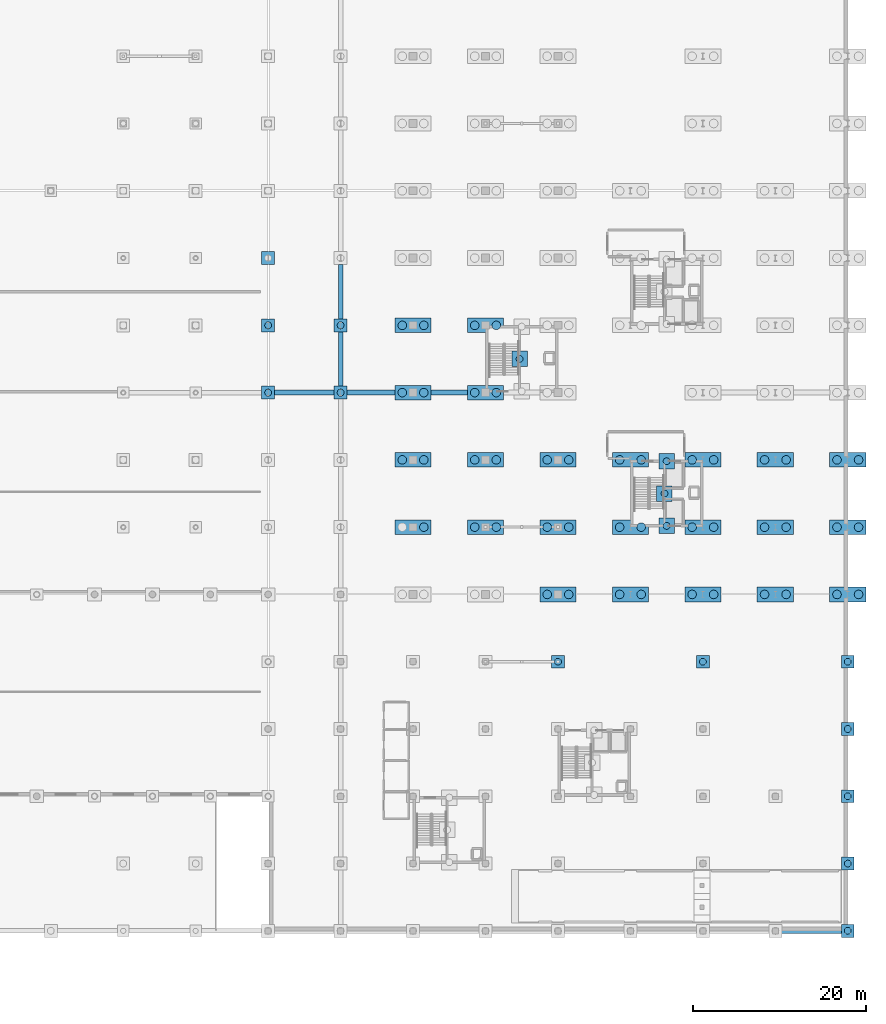
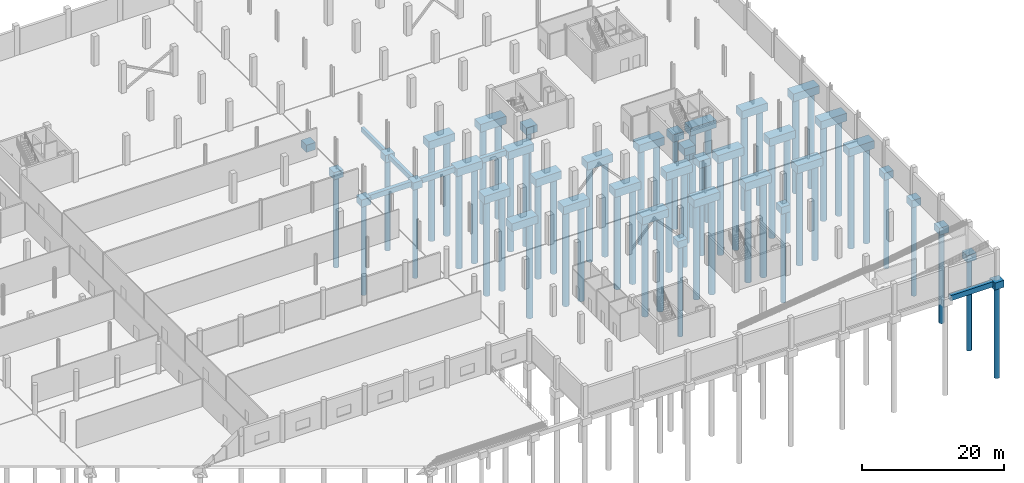
# One storey, part 7 of 48: 60 piles, 45 footings.
"""IFC4 building model written with IfcOpenShell, lengths in metres."""

from ifc_helpers import new_model, si_unit, direction, frame, origin, origin_2d, place, context, subcontext, project, spatial, polyline, rectangle, circle, outline, extrude, material, material_profile, profile_set, type_object, element, save


model = new_model("IFC4")

# Units and contexts
model_context = context("Model", 3, precision=1e-05, world=origin(), true_north=direction((0.0, 1.0)))
body_context = subcontext(model_context, "Body", "Model", "MODEL_VIEW")
ifc_project = project(units=[si_unit("LENGTHUNIT", "METRE"), si_unit("AREAUNIT", "SQUARE_METRE"), si_unit("VOLUMEUNIT", "CUBIC_METRE"), si_unit("PLANEANGLEUNIT", "RADIAN"), si_unit("MASSUNIT", "GRAM", prefix="KILO")], contexts=[model_context])

# Site, building, storey
site_placement = place(None, origin())
site = spatial("IfcSite", under=ifc_project, at=site_placement, CompositionType="ELEMENT")
building_placement = place(site_placement, origin())
building = spatial("IfcBuilding", under=site, at=building_placement, Name="Nabrawat Pavilion Hospital", CompositionType="ELEMENT")
storey_placement = place(building_placement, frame((0.0, 0.0, -5.10009765625)))
storey = spatial("IfcBuildingStorey", under=building, at=storey_placement, Name="B1", CompositionType="ELEMENT", Elevation=-5.10009765625)

# Piles
ifc_material = material(Name="Concrete C35/45", Category="concrete")
ifc_material_profile_1 = material_profile(ifc_material, circle(Radius=0.5, at=origin_2d()), Name="DIA 1000")
ifc_profile_set_1 = profile_set([ifc_material_profile_1], Name="Concrete C35/45")
pile_type_1 = type_object("IfcPileType", Name="Bored Concrete Pile D1000", PredefinedType="BORED", material=ifc_profile_set_1)
for number, where, z_axis, x_axis, name in (
    (1, (144.050048828125, 46.800048828125, -1.469970703125), (0.0, 0.0, -1.0), (1.0, 0.0, 0.0), "Bored Pile P-1000 0206"),
    (2, (141.550048828125, 54.60009765625, -1.469970703125), (0.0, 0.0, -1.0), (1.0, 0.0, 0.0), "Bored Pile P-1000 0207"),
    (3, (144.050048828125, 54.60009765625, -1.469970703125), (0.0, 0.0, -1.0), (1.0, 0.0, 0.0), "Bored Pile P-1000 0208"),
    (4, (141.550048828125, 62.39990234375, -1.469970703125), (0.0, 0.0, -1.0), (1.0, 0.0, 0.0), "Bored Pile P-1000 0209"),
    (5, (144.050048828125, 62.39990234375, -1.469970703125), (0.0, 0.0, -1.0), (1.0, 0.0, 0.0), "Bored Pile P-1000 0210"),
    (6, (141.550048828125, 70.199951171875, -1.469970703125), (0.0, 0.0, -1.0), (1.0, 0.0, 0.0), "Bored Pile P-1000 0211"),
    (7, (144.050048828125, 70.199951171875, -1.469970703125), (0.0, 0.0, -1.0), (1.0, 0.0, 0.0), "Bored Pile P-1000 0212"),
    (8, (149.949951171875, 46.800048828125, -1.469970703125), (0.0, 0.0, -1.0), (1.0, 0.0, 0.0), "Bored Pile P-1000 0233"),
    (9, (152.449951171875, 46.800048828125, -1.469970703125), (0.0, 0.0, -1.0), (1.0, 0.0, 0.0), "Bored Pile P-1000 0234"),
    (10, (149.949951171875, 54.60009765625, -1.469970703125), (0.0, 0.0, -1.0), (1.0, 0.0, 0.0), "Bored Pile P-1000 0235"),
    (11, (152.449951171875, 54.60009765625, -1.469970703125), (0.0, 0.0, -1.0), (1.0, 0.0, 0.0), "Bored Pile P-1000 0236"),
    (12, (149.949951171875, 62.39990234375, -1.469970703125), (0.0, 0.0, -1.0), (1.0, 0.0, 0.0), "Bored Pile P-1000 0237"),
    (13, (152.449951171875, 62.39990234375, -1.469970703125), (0.0, 0.0, -1.0), (1.0, 0.0, 0.0), "Bored Pile P-1000 0238"),
    (14, (149.949951171875, 70.199951171875, -1.469970703125), (0.0, 0.0, -1.0), (1.0, 0.0, 0.0), "Bored Pile P-1000 0239"),
    (15, (152.449951171875, 70.199951171875, -1.469970703125), (0.0, 0.0, -1.0), (1.0, 0.0, 0.0), "Bored Pile P-1000 0240"),
    (16, (158.35009765625, 39.0, -1.469970703125), (0.0, 0.0, -1.0), (1.0, 0.0, 0.0), "Bored Pile P-1000 0259"),
    (17, (160.85009765625, 39.0, -1.469970703125), (0.0, 0.0, -1.0), (1.0, 0.0, 0.0), "Bored Pile P-1000 0260"),
    (18, (158.35009765625, 46.800048828125, -1.469970703125), (0.0, 0.0, -1.0), (1.0, 0.0, 0.0), "Bored Pile P-1000 0261"),
    (19, (160.85009765625, 46.800048828125, -1.469970703125), (0.0, 0.0, -1.0), (1.0, 0.0, 0.0), "Bored Pile P-1000 0262"),
    (20, (158.35009765625, 54.60009765625, -1.469970703125), (0.0, 0.0, -1.0), (1.0, 0.0, 0.0), "Bored Pile P-1000 0263"),
    (21, (160.85009765625, 54.60009765625, -1.469970703125), (0.0, 0.0, -1.0), (1.0, 0.0, 0.0), "Bored Pile P-1000 0264"),
    (22, (166.75, 39.0, -1.469970703125), (0.0, 0.0, -1.0), (1.0, 0.0, 0.0), "Bored Pile P-1000 0285"),
    (23, (169.25, 39.0, -1.469970703125), (0.0, 0.0, -1.0), (1.0, 0.0, 0.0), "Bored Pile P-1000 0286"),
    (24, (166.75, 46.800048828125, -1.469970703125), (0.0, 0.0, -1.0), (1.0, 0.0, 0.0), "Bored Pile P-1000 0287"),
    (25, (169.25, 46.800048828125, -1.469970703125), (0.0, 0.0, -1.0), (1.0, 0.0, 0.0), "Bored Pile P-1000 0288"),
    (26, (166.75, 54.60009765625, -1.469970703125), (0.0, 0.0, -1.0), (1.0, 0.0, 0.0), "Bored Pile P-1000 0289"),
    (27, (169.25, 54.60009765625, -1.469970703125), (0.0, 0.0, -1.0), (1.0, 0.0, 0.0), "Bored Pile P-1000 0290"),
    (28, (175.14990234375, 39.0, -1.469970703125), (0.0, 0.0, -1.0), (1.0, 0.0, 0.0), "Bored Pile P-1000 0305"),
    (29, (177.64990234375, 39.0, -1.469970703125), (0.0, 0.0, -1.0), (1.0, 0.0, 0.0), "Bored Pile P-1000 0306"),
    (30, (175.14990234375, 46.800048828125, -1.469970703125), (0.0, 0.0, -1.0), (1.0, 0.0, 0.0), "Bored Pile P-1000 0307"),
    (31, (177.64990234375, 46.800048828125, -1.469970703125), (0.0, 0.0, -1.0), (1.0, 0.0, 0.0), "Bored Pile P-1000 0308"),
    (32, (175.14990234375, 54.60009765625, -1.469970703125), (0.0, 0.0, -1.0), (1.0, 0.0, 0.0), "Bored Pile P-1000 0309"),
    (33, (177.64990234375, 54.60009765625, -1.469970703125), (0.0, 0.0, -1.0), (1.0, 0.0, 0.0), "Bored Pile P-1000 0310"),
    (34, (183.550048828125, 39.0, -1.469970703125), (0.0, 0.0, -1.0), (1.0, 0.0, 0.0), "Bored Pile P-1000 0330"),
    (35, (186.050048828125, 39.0, -1.469970703125), (0.0, 0.0, -1.0), (1.0, 0.0, 0.0), "Bored Pile P-1000 0331"),
    (36, (183.550048828125, 46.800048828125, -1.469970703125), (0.0, 0.0, -1.0), (1.0, 0.0, 0.0), "Bored Pile P-1000 0332"),
    (37, (186.050048828125, 46.800048828125, -1.469970703125), (0.0, 0.0, -1.0), (1.0, 0.0, 0.0), "Bored Pile P-1000 0333"),
    (38, (183.550048828125, 54.60009765625, -1.469970703125), (0.0, 0.0, -1.0), (1.0, 0.0, 0.0), "Bored Pile P-1000 0334"),
    (39, (186.050048828125, 54.60009765625, -1.469970703125), (0.0, 0.0, -1.0), (1.0, 0.0, 0.0), "Bored Pile P-1000 0335"),
    (40, (191.949951171875, 39.0, -1.469970703125), (0.0, 0.0, -1.0), (1.0, 0.0, 0.0), "Bored Pile P-1000 0352"),
    (41, (194.449951171875, 39.0, -1.469970703125), (0.0, 0.0, -1.0), (1.0, 0.0, 0.0), "Bored Pile P-1000 0353"),
    (42, (191.949951171875, 46.800048828125, -1.469970703125), (0.0, 0.0, -1.0), (1.0, 0.0, 0.0), "Bored Pile P-1000 0354"),
    (43, (194.449951171875, 46.800048828125, -1.469970703125), (0.0, 0.0, -1.0), (1.0, 0.0, 0.0), "Bored Pile P-1000 0355"),
    (44, (191.949951171875, 54.60009765625, -1.469970703125), (0.0, 0.0, -1.0), (1.0, 0.0, 0.0), "Bored Pile P-1000 0356"),
    (45, (194.449951171875, 54.60009765625, -1.469970703125), (0.0, 0.0, -1.0), (1.0, 0.0, 0.0), "Bored Pile P-1000 0357"),
):
    element("IfcPile", number, at=place(storey_placement, frame(where, z_axis=z_axis, x_axis=x_axis)), inside=storey, type_object=pile_type_1, Name=name, PredefinedType="BORED", context=body_context, shape_type="SweptSolid", body=[
        extrude(circle(Radius=0.5, at=origin_2d()), origin(), (0.0, 0.0, 1.0), 16.429931640625),
    ])
ifc_material_profile_2 = material_profile(ifc_material, circle(Radius=0.39990234375, at=origin_2d()), Name="DIA 800")
ifc_profile_set_2 = profile_set([ifc_material_profile_2], Name="Concrete C35/45")
pile_type_2 = type_object("IfcPileType", Name="Bored Concrete Pile D800", PredefinedType="BORED", material=ifc_profile_set_2)
for number, where, z_axis, x_axis, name in (
    (46, (126.0, 62.39990234375, -1.369873046875), (0.0, 0.0, -1.0), (1.0, 0.0, 0.0), "Bored Pile P-800 0172"),
    (47, (126.0, 70.199951171875, -1.369873046875), (0.0, 0.0, -1.0), (1.0, 0.0, 0.0), "Bored Pile P-800 0173"),
    (48, (134.39990234375, 62.39990234375, -1.369873046875), (0.0, 0.0, -1.0), (1.0, 0.0, 0.0), "Bored Pile P-800 0189"),
    (49, (134.39990234375, 70.199951171875, -1.369873046875), (0.0, 0.0, -1.0), (1.0, 0.0, 0.0), "Bored Pile P-800 0190"),
):
    element("IfcPile", number, at=place(storey_placement, frame(where, z_axis=z_axis, x_axis=x_axis)), inside=storey, type_object=pile_type_2, Name=name, PredefinedType="BORED", context=body_context, shape_type="SweptSolid", body=[
        extrude(circle(Radius=0.39990234375, at=origin_2d()), origin(), (0.0, 0.0, 1.0), 15.72998046875),
    ])
for number, where, z_axis, x_axis, name in (
    (50, (159.60009765625, 31.199951171875, -1.33984375), (0.0, 0.0, -1.0), (1.0, 0.0, 0.0), "Bored Pile P-800 0258"),
    (51, (176.39990234375, 31.199951171875, -1.33984375), (0.0, 0.0, -1.0), (1.0, 0.0, 0.0), "Bored Pile P-800 0304"),
    (52, (193.199951171875, 0.0, -1.33984375), (0.0, 0.0, -1.0), (1.0, 0.0, 0.0), "Bored Pile P-800 0347"),
    (53, (193.199951171875, 7.800048828125, -1.33984375), (0.0, 0.0, -1.0), (1.0, 0.0, 0.0), "Bored Pile P-800 0348"),
    (54, (193.199951171875, 15.60009765625, -1.33984375), (0.0, 0.0, -1.0), (1.0, 0.0, 0.0), "Bored Pile P-800 0349"),
    (55, (193.199951171875, 23.39990234375, -1.33984375), (0.0, 0.0, -1.0), (1.0, 0.0, 0.0), "Bored Pile P-800 0350"),
    (56, (193.199951171875, 31.199951171875, -1.33984375), (0.0, 0.0, -1.0), (1.0, 0.0, 0.0), "Bored Pile P-800 0351"),
):
    element("IfcPile", number, at=place(storey_placement, frame(where, z_axis=z_axis, x_axis=x_axis)), inside=storey, type_object=pile_type_2, Name=name, PredefinedType="BORED", context=body_context, shape_type="SweptSolid", body=[
        extrude(circle(Radius=0.39990234375, at=origin_2d()), origin(), (0.0, 0.0, 1.0), 15.760009765625),
    ])
for number, where, z_axis, x_axis, name in (
    (57, (172.199951171875, 46.949951171875, -1.369873046875), (0.0, 0.0, -1.0), (1.0, 0.0, 0.0), "Bored Pile P-800 0387"),
    (58, (172.199951171875, 54.449951171875, -1.369873046875), (0.0, 0.0, -1.0), (1.0, 0.0, 0.0), "Bored Pile P-800 0388"),
    (59, (171.949951171875, 50.699951171875, -1.369873046875), (0.0, 0.0, -1.0), (1.0, 0.0, 0.0), "Bored Pile P-800 0389"),
    (60, (155.14990234375, 66.300048828125, -1.369873046875), (0.0, 0.0, -1.0), (1.0, 0.0, 0.0), "Bored Pile P-800 0401"),
):
    element("IfcPile", number, at=place(storey_placement, frame(where, z_axis=z_axis, x_axis=x_axis)), inside=storey, type_object=pile_type_2, Name=name, PredefinedType="BORED", context=body_context, shape_type="SweptSolid", body=[
        extrude(circle(Radius=0.39990234375, at=origin_2d()), origin(), (0.0, 0.0, 1.0), 15.72998046875),
    ])

# Footings
ifc_material_profile_3 = material_profile(ifc_material, rectangle(XDim=0.5, YDim=0.800048828125, at=origin_2d()), Name="RC 500x800")
ifc_profile_set_3 = profile_set([ifc_material_profile_3], Name="Concrete C35/45")
footing_type_1 = type_object("IfcFootingType", Name="Concrete Ground Tie Beam 500x800", PredefinedType="FOOTING_BEAM", material=ifc_profile_set_3)
for number, where, z_axis, x_axis, name in (
    (61, (134.39990234375, 63.1298828125, -0.619873046875), (0.0, 1.0, 0.0), (-1.0, 0.0, 0.0), "B1 Ground Tie Beam Y 067"),
    (62, (134.39990234375, 70.929931640625, -0.619873046875), (0.0, 1.0, 0.0), (-1.0, 0.0, 0.0), "B1 Ground Tie Beam Y 068"),
):
    element("IfcFooting", number, at=place(storey_placement, frame(where, z_axis=z_axis, x_axis=x_axis)), inside=storey, type_object=footing_type_1, Name=name, PredefinedType="FOOTING_BEAM", context=body_context, shape_type="SweptSolid", body=[
        extrude(rectangle(XDim=0.5, YDim=0.800048828125, at=origin_2d()), origin(), (0.0, 0.0, 1.0), 6.340087890625),
    ])
ifc_material_profile_4 = material_profile(ifc_material, rectangle(XDim=0.60009765625, YDim=0.89990234375, at=origin_2d()), Name="RC 600x900")
ifc_profile_set_4 = profile_set([ifc_material_profile_4], Name="Concrete C35/45")
footing_type_2 = type_object("IfcFootingType", Name="Concrete Ground Tie Beam 600x900", PredefinedType="FOOTING_BEAM", material=ifc_profile_set_4)
for number, where, z_axis, x_axis, name in (
    (63, (185.530029296875, 0.0, -0.669921875), (1.0, 0.0, 0.0), (0.0, 1.0, 0.0), "B1 Ground Tie Beam X 023"),
    (64, (126.72998046875, 62.39990234375, -0.669921875), (1.0, 0.0, 0.0), (0.0, 1.0, 0.0), "B1 Ground Tie Beam X 029"),
):
    element("IfcFooting", number, at=place(storey_placement, frame(where, z_axis=z_axis, x_axis=x_axis)), inside=storey, type_object=footing_type_2, Name=name, PredefinedType="FOOTING_BEAM", context=body_context, shape_type="SweptSolid", body=[
        extrude(rectangle(XDim=0.60009765625, YDim=0.89990234375, at=origin_2d()), origin(), (0.0, 0.0, 1.0), 6.93994140625),
    ])
footing_1_placement = place(storey_placement, frame((135.1298828125, 62.39990234375, -0.669921875), z_axis=(1.0, 0.0, 0.0), x_axis=(0.0, 1.0, 0.0)))
element("IfcFooting", 65, at=footing_1_placement, inside=storey, type_object=footing_type_2, Name="B1 Ground Tie Beam X 030", PredefinedType="FOOTING_BEAM", context=body_context, shape_type="SweptSolid", body=[
    extrude(rectangle(XDim=0.60009765625, YDim=0.89990234375, at=origin_2d()), origin(), (0.0, 0.0, 1.0), 5.590087890625),
])
footing_2_placement = place(storey_placement, frame((144.8798828125, 62.39990234375, -0.669921875), z_axis=(1.0, 0.0, 0.0), x_axis=(0.0, 1.0, 0.0)))
element("IfcFooting", 66, at=footing_2_placement, inside=storey, type_object=footing_type_2, Name="B1 Ground Tie Beam X 031", PredefinedType="FOOTING_BEAM", context=body_context, shape_type="SweptSolid", body=[
    extrude(rectangle(XDim=0.60009765625, YDim=0.89990234375, at=origin_2d()), origin(), (0.0, 0.0, 1.0), 4.240234375),
])
footing_type_3 = type_object("IfcFootingType", Name="Reinforced Concrete Pile Cap 1500x1500x1220", PredefinedType="PILE_CAP", material=ifc_material)
footing_3_placement = place(storey_placement, frame((0.0, 0.0, -1.43994140625)))
element("IfcFooting", 67, at=footing_3_placement, inside=storey, type_object=footing_type_3, Name="B1 Combined Pile Cap CAP-236", PredefinedType="PILE_CAP", context=body_context, shape_type="SweptSolid", body=[
    extrude(outline(polyline([(160.35009765625, 30.449951171875), (160.35009765625, 31.949951171875), (158.85009765625, 31.949951171875), (158.85009765625, 30.449951171875), (160.35009765625, 30.449951171875)])), origin(), (0.0, 0.0, 1.0), 1.219970703125),
])
footing_4_placement = place(storey_placement, frame((0.0, 0.0, -1.43994140625)))
element("IfcFooting", 68, at=footing_4_placement, inside=storey, type_object=footing_type_3, Name="B1 Combined Pile Cap CAP-264", PredefinedType="PILE_CAP", context=body_context, shape_type="SweptSolid", body=[
    extrude(outline(polyline([(177.14990234375, 30.449951171875), (177.14990234375, 31.949951171875), (175.64990234375, 31.949951171875), (175.64990234375, 30.449951171875), (177.14990234375, 30.449951171875)])), origin(), (0.0, 0.0, 1.0), 1.219970703125),
])
footing_5_placement = place(storey_placement, frame((0.0, 0.0, -1.43994140625)))
element("IfcFooting", 69, at=footing_5_placement, inside=storey, type_object=footing_type_3, Name="B1 Combined Pile Cap CAP-288", PredefinedType="PILE_CAP", context=body_context, shape_type="SweptSolid", body=[
    extrude(outline(polyline([(193.949951171875, -0.75), (193.949951171875, 0.75), (192.449951171875, 0.75), (192.449951171875, -0.75), (193.949951171875, -0.75)])), origin(), (0.0, 0.0, 1.0), 1.219970703125),
])
footing_6_placement = place(storey_placement, frame((0.0, 0.0, -1.43994140625)))
element("IfcFooting", 70, at=footing_6_placement, inside=storey, type_object=footing_type_3, Name="B1 Combined Pile Cap CAP-289", PredefinedType="PILE_CAP", context=body_context, shape_type="SweptSolid", body=[
    extrude(outline(polyline([(193.949951171875, 7.050048828125), (193.949951171875, 8.550048828125), (192.449951171875, 8.550048828125), (192.449951171875, 7.050048828125), (193.949951171875, 7.050048828125)])), origin(), (0.0, 0.0, 1.0), 1.219970703125),
])
footing_7_placement = place(storey_placement, frame((0.0, 0.0, -1.43994140625)))
element("IfcFooting", 71, at=footing_7_placement, inside=storey, type_object=footing_type_3, Name="B1 Combined Pile Cap CAP-290", PredefinedType="PILE_CAP", context=body_context, shape_type="SweptSolid", body=[
    extrude(outline(polyline([(193.949951171875, 14.85009765625), (193.949951171875, 16.35009765625), (192.449951171875, 16.35009765625), (192.449951171875, 14.85009765625), (193.949951171875, 14.85009765625)])), origin(), (0.0, 0.0, 1.0), 1.219970703125),
])
footing_8_placement = place(storey_placement, frame((0.0, 0.0, -1.43994140625)))
element("IfcFooting", 72, at=footing_8_placement, inside=storey, type_object=footing_type_3, Name="B1 Combined Pile Cap CAP-291", PredefinedType="PILE_CAP", context=body_context, shape_type="SweptSolid", body=[
    extrude(outline(polyline([(193.949951171875, 22.64990234375), (193.949951171875, 24.14990234375), (192.449951171875, 24.14990234375), (192.449951171875, 22.64990234375), (193.949951171875, 22.64990234375)])), origin(), (0.0, 0.0, 1.0), 1.219970703125),
])
footing_9_placement = place(storey_placement, frame((0.0, 0.0, -1.43994140625)))
element("IfcFooting", 73, at=footing_9_placement, inside=storey, type_object=footing_type_3, Name="B1 Combined Pile Cap CAP-292", PredefinedType="PILE_CAP", context=body_context, shape_type="SweptSolid", body=[
    extrude(outline(polyline([(193.949951171875, 30.449951171875), (193.949951171875, 31.949951171875), (192.449951171875, 31.949951171875), (192.449951171875, 30.449951171875), (193.949951171875, 30.449951171875)])), origin(), (0.0, 0.0, 1.0), 1.219970703125),
])
footing_type_4 = type_object("IfcFootingType", Name="Reinforced Concrete Pile Cap 1500x1500x1250", PredefinedType="PILE_CAP", material=ifc_material)
footing_10_placement = place(storey_placement, frame((0.0, 0.0, -1.469970703125)))
element("IfcFooting", 74, at=footing_10_placement, inside=storey, type_object=footing_type_4, Name="B1 Combined Pile Cap CAP-172", PredefinedType="PILE_CAP", context=body_context, shape_type="SweptSolid", body=[
    extrude(outline(polyline([(126.75, 61.64990234375), (126.75, 63.14990234375), (125.25, 63.14990234375), (125.25, 61.64990234375), (126.75, 61.64990234375)])), origin(), (0.0, 0.0, 1.0), 1.25),
])
footing_11_placement = place(storey_placement, frame((0.0, 0.0, -1.469970703125)))
element("IfcFooting", 75, at=footing_11_placement, inside=storey, type_object=footing_type_4, Name="B1 Combined Pile Cap CAP-173", PredefinedType="PILE_CAP", context=body_context, shape_type="SweptSolid", body=[
    extrude(outline(polyline([(126.75, 69.449951171875), (126.75, 70.949951171875), (125.25, 70.949951171875), (125.25, 69.449951171875), (126.75, 69.449951171875)])), origin(), (0.0, 0.0, 1.0), 1.25),
])
footing_12_placement = place(storey_placement, frame((0.0, 0.0, -1.469970703125)))
element("IfcFooting", 76, at=footing_12_placement, inside=storey, type_object=footing_type_4, Name="B1 Combined Pile Cap CAP-174", PredefinedType="PILE_CAP", context=body_context, shape_type="SweptSolid", body=[
    extrude(outline(polyline([(126.75, 77.25), (126.75, 78.75), (125.25, 78.75), (125.25, 77.25), (126.75, 77.25)])), origin(), (0.0, 0.0, 1.0), 1.25),
])
footing_13_placement = place(storey_placement, frame((0.0, 0.0, -1.469970703125)))
element("IfcFooting", 77, at=footing_13_placement, inside=storey, type_object=footing_type_4, Name="B1 Combined Pile Cap CAP-189", PredefinedType="PILE_CAP", context=body_context, shape_type="SweptSolid", body=[
    extrude(outline(polyline([(135.14990234375, 61.64990234375), (135.14990234375, 63.14990234375), (133.64990234375, 63.14990234375), (133.64990234375, 61.64990234375), (135.14990234375, 61.64990234375)])), origin(), (0.0, 0.0, 1.0), 1.25),
])
footing_14_placement = place(storey_placement, frame((0.0, 0.0, -1.469970703125)))
element("IfcFooting", 78, at=footing_14_placement, inside=storey, type_object=footing_type_4, Name="B1 Combined Pile Cap CAP-190", PredefinedType="PILE_CAP", context=body_context, shape_type="SweptSolid", body=[
    extrude(outline(polyline([(135.14990234375, 69.449951171875), (135.14990234375, 70.949951171875), (133.64990234375, 70.949951171875), (133.64990234375, 69.449951171875), (135.14990234375, 69.449951171875)])), origin(), (0.0, 0.0, 1.0), 1.25),
])
footing_type_5 = type_object("IfcFootingType", Name="Reinforced Concrete Pile Cap 1700x4200x1350", PredefinedType="PILE_CAP", material=ifc_material)
footing_15_placement = place(storey_placement, frame((0.0, 0.0, -1.56982421875)))
element("IfcFooting", 79, at=footing_15_placement, inside=storey, type_object=footing_type_5, Name="B1 Combined Pile Cap CAP-204", PredefinedType="PILE_CAP", context=body_context, shape_type="SweptSolid", body=[
    extrude(outline(polyline([(144.89990234375, 45.949951171875), (144.89990234375, 47.64990234375), (140.699951171875, 47.64990234375), (140.699951171875, 45.949951171875), (144.89990234375, 45.949951171875)])), origin(), (0.0, 0.0, 1.0), 1.349853515625),
])
footing_16_placement = place(storey_placement, frame((0.0, 0.0, -1.56982421875)))
element("IfcFooting", 80, at=footing_16_placement, inside=storey, type_object=footing_type_5, Name="B1 Combined Pile Cap CAP-205", PredefinedType="PILE_CAP", context=body_context, shape_type="SweptSolid", body=[
    extrude(outline(polyline([(144.89990234375, 53.75), (144.89990234375, 55.449951171875), (140.699951171875, 55.449951171875), (140.699951171875, 53.75), (144.89990234375, 53.75)])), origin(), (0.0, 0.0, 1.0), 1.349853515625),
])
footing_17_placement = place(storey_placement, frame((0.0, 0.0, -1.56982421875)))
element("IfcFooting", 81, at=footing_17_placement, inside=storey, type_object=footing_type_5, Name="B1 Combined Pile Cap CAP-206", PredefinedType="PILE_CAP", context=body_context, shape_type="SweptSolid", body=[
    extrude(outline(polyline([(144.89990234375, 61.550048828125), (144.89990234375, 63.25), (140.699951171875, 63.25), (140.699951171875, 61.550048828125), (144.89990234375, 61.550048828125)])), origin(), (0.0, 0.0, 1.0), 1.349853515625),
])
footing_18_placement = place(storey_placement, frame((0.0, 0.0, -1.56982421875)))
element("IfcFooting", 82, at=footing_18_placement, inside=storey, type_object=footing_type_5, Name="B1 Combined Pile Cap CAP-207", PredefinedType="PILE_CAP", context=body_context, shape_type="SweptSolid", body=[
    extrude(outline(polyline([(144.89990234375, 69.35009765625), (144.89990234375, 71.050048828125), (140.699951171875, 71.050048828125), (140.699951171875, 69.35009765625), (144.89990234375, 69.35009765625)])), origin(), (0.0, 0.0, 1.0), 1.349853515625),
])
footing_19_placement = place(storey_placement, frame((0.0, 0.0, -1.56982421875)))
element("IfcFooting", 83, at=footing_19_placement, inside=storey, type_object=footing_type_5, Name="B1 Combined Pile Cap CAP-221", PredefinedType="PILE_CAP", context=body_context, shape_type="SweptSolid", body=[
    extrude(outline(polyline([(153.300048828125, 45.949951171875), (153.300048828125, 47.64990234375), (149.10009765625, 47.64990234375), (149.10009765625, 45.949951171875), (153.300048828125, 45.949951171875)])), origin(), (0.0, 0.0, 1.0), 1.349853515625),
])
footing_20_placement = place(storey_placement, frame((0.0, 0.0, -1.56982421875)))
element("IfcFooting", 84, at=footing_20_placement, inside=storey, type_object=footing_type_5, Name="B1 Combined Pile Cap CAP-222", PredefinedType="PILE_CAP", context=body_context, shape_type="SweptSolid", body=[
    extrude(outline(polyline([(153.300048828125, 53.75), (153.300048828125, 55.449951171875), (149.10009765625, 55.449951171875), (149.10009765625, 53.75), (153.300048828125, 53.75)])), origin(), (0.0, 0.0, 1.0), 1.349853515625),
])
footing_21_placement = place(storey_placement, frame((0.0, 0.0, -1.56982421875)))
element("IfcFooting", 85, at=footing_21_placement, inside=storey, type_object=footing_type_5, Name="B1 Combined Pile Cap CAP-223", PredefinedType="PILE_CAP", context=body_context, shape_type="SweptSolid", body=[
    extrude(outline(polyline([(153.300048828125, 61.550048828125), (153.300048828125, 63.25), (149.10009765625, 63.25), (149.10009765625, 61.550048828125), (153.300048828125, 61.550048828125)])), origin(), (0.0, 0.0, 1.0), 1.349853515625),
])
footing_22_placement = place(storey_placement, frame((0.0, 0.0, -1.56982421875)))
element("IfcFooting", 86, at=footing_22_placement, inside=storey, type_object=footing_type_5, Name="B1 Combined Pile Cap CAP-224", PredefinedType="PILE_CAP", context=body_context, shape_type="SweptSolid", body=[
    extrude(outline(polyline([(153.300048828125, 69.35009765625), (153.300048828125, 71.050048828125), (149.10009765625, 71.050048828125), (149.10009765625, 69.35009765625), (153.300048828125, 69.35009765625)])), origin(), (0.0, 0.0, 1.0), 1.349853515625),
])
footing_23_placement = place(storey_placement, frame((0.0, 0.0, -1.56982421875)))
element("IfcFooting", 87, at=footing_23_placement, inside=storey, type_object=footing_type_5, Name="B1 Combined Pile Cap CAP-237", PredefinedType="PILE_CAP", context=body_context, shape_type="SweptSolid", body=[
    extrude(outline(polyline([(161.699951171875, 38.14990234375), (161.699951171875, 39.85009765625), (157.5, 39.85009765625), (157.5, 38.14990234375), (161.699951171875, 38.14990234375)])), origin(), (0.0, 0.0, 1.0), 1.349853515625),
])
footing_24_placement = place(storey_placement, frame((0.0, 0.0, -1.56982421875)))
element("IfcFooting", 88, at=footing_24_placement, inside=storey, type_object=footing_type_5, Name="B1 Combined Pile Cap CAP-238", PredefinedType="PILE_CAP", context=body_context, shape_type="SweptSolid", body=[
    extrude(outline(polyline([(161.699951171875, 45.949951171875), (161.699951171875, 47.64990234375), (157.5, 47.64990234375), (157.5, 45.949951171875), (161.699951171875, 45.949951171875)])), origin(), (0.0, 0.0, 1.0), 1.349853515625),
])
footing_25_placement = place(storey_placement, frame((0.0, 0.0, -1.56982421875)))
element("IfcFooting", 89, at=footing_25_placement, inside=storey, type_object=footing_type_5, Name="B1 Combined Pile Cap CAP-239", PredefinedType="PILE_CAP", context=body_context, shape_type="SweptSolid", body=[
    extrude(outline(polyline([(161.699951171875, 53.75), (161.699951171875, 55.449951171875), (157.5, 55.449951171875), (157.5, 53.75), (161.699951171875, 53.75)])), origin(), (0.0, 0.0, 1.0), 1.349853515625),
])
footing_26_placement = place(storey_placement, frame((0.0, 0.0, -1.56982421875)))
element("IfcFooting", 90, at=footing_26_placement, inside=storey, type_object=footing_type_5, Name="B1 Combined Pile Cap CAP-252", PredefinedType="PILE_CAP", context=body_context, shape_type="SweptSolid", body=[
    extrude(outline(polyline([(170.10009765625, 38.14990234375), (170.10009765625, 39.85009765625), (165.89990234375, 39.85009765625), (165.89990234375, 38.14990234375), (170.10009765625, 38.14990234375)])), origin(), (0.0, 0.0, 1.0), 1.349853515625),
])
footing_27_placement = place(storey_placement, frame((0.0, 0.0, -1.56982421875)))
element("IfcFooting", 91, at=footing_27_placement, inside=storey, type_object=footing_type_5, Name="B1 Combined Pile Cap CAP-253", PredefinedType="PILE_CAP", context=body_context, shape_type="SweptSolid", body=[
    extrude(outline(polyline([(170.10009765625, 45.949951171875), (170.10009765625, 47.64990234375), (165.89990234375, 47.64990234375), (165.89990234375, 45.949951171875), (170.10009765625, 45.949951171875)])), origin(), (0.0, 0.0, 1.0), 1.349853515625),
])
footing_28_placement = place(storey_placement, frame((0.0, 0.0, -1.56982421875)))
element("IfcFooting", 92, at=footing_28_placement, inside=storey, type_object=footing_type_5, Name="B1 Combined Pile Cap CAP-254", PredefinedType="PILE_CAP", context=body_context, shape_type="SweptSolid", body=[
    extrude(outline(polyline([(170.10009765625, 53.75), (170.10009765625, 55.449951171875), (165.89990234375, 55.449951171875), (165.89990234375, 53.75), (170.10009765625, 53.75)])), origin(), (0.0, 0.0, 1.0), 1.349853515625),
])
footing_29_placement = place(storey_placement, frame((0.0, 0.0, -1.56982421875)))
element("IfcFooting", 93, at=footing_29_placement, inside=storey, type_object=footing_type_5, Name="B1 Combined Pile Cap CAP-265", PredefinedType="PILE_CAP", context=body_context, shape_type="SweptSolid", body=[
    extrude(outline(polyline([(178.5, 38.14990234375), (178.5, 39.85009765625), (174.300048828125, 39.85009765625), (174.300048828125, 38.14990234375), (178.5, 38.14990234375)])), origin(), (0.0, 0.0, 1.0), 1.349853515625),
])
footing_30_placement = place(storey_placement, frame((0.0, 0.0, -1.56982421875)))
element("IfcFooting", 94, at=footing_30_placement, inside=storey, type_object=footing_type_5, Name="B1 Combined Pile Cap CAP-266", PredefinedType="PILE_CAP", context=body_context, shape_type="SweptSolid", body=[
    extrude(outline(polyline([(178.5, 45.949951171875), (178.5, 47.64990234375), (174.300048828125, 47.64990234375), (174.300048828125, 45.949951171875), (178.5, 45.949951171875)])), origin(), (0.0, 0.0, 1.0), 1.349853515625),
])
footing_31_placement = place(storey_placement, frame((0.0, 0.0, -1.56982421875)))
element("IfcFooting", 95, at=footing_31_placement, inside=storey, type_object=footing_type_5, Name="B1 Combined Pile Cap CAP-267", PredefinedType="PILE_CAP", context=body_context, shape_type="SweptSolid", body=[
    extrude(outline(polyline([(178.5, 53.75), (178.5, 55.449951171875), (174.300048828125, 55.449951171875), (174.300048828125, 53.75), (178.5, 53.75)])), origin(), (0.0, 0.0, 1.0), 1.349853515625),
])
footing_32_placement = place(storey_placement, frame((0.0, 0.0, -1.56982421875)))
element("IfcFooting", 96, at=footing_32_placement, inside=storey, type_object=footing_type_5, Name="B1 Combined Pile Cap CAP-279", PredefinedType="PILE_CAP", context=body_context, shape_type="SweptSolid", body=[
    extrude(outline(polyline([(186.89990234375, 38.14990234375), (186.89990234375, 39.85009765625), (182.699951171875, 39.85009765625), (182.699951171875, 38.14990234375), (186.89990234375, 38.14990234375)])), origin(), (0.0, 0.0, 1.0), 1.349853515625),
])
footing_33_placement = place(storey_placement, frame((0.0, 0.0, -1.56982421875)))
element("IfcFooting", 97, at=footing_33_placement, inside=storey, type_object=footing_type_5, Name="B1 Combined Pile Cap CAP-280", PredefinedType="PILE_CAP", context=body_context, shape_type="SweptSolid", body=[
    extrude(outline(polyline([(186.89990234375, 45.949951171875), (186.89990234375, 47.64990234375), (182.699951171875, 47.64990234375), (182.699951171875, 45.949951171875), (186.89990234375, 45.949951171875)])), origin(), (0.0, 0.0, 1.0), 1.349853515625),
])
footing_34_placement = place(storey_placement, frame((0.0, 0.0, -1.56982421875)))
element("IfcFooting", 98, at=footing_34_placement, inside=storey, type_object=footing_type_5, Name="B1 Combined Pile Cap CAP-281", PredefinedType="PILE_CAP", context=body_context, shape_type="SweptSolid", body=[
    extrude(outline(polyline([(186.89990234375, 53.75), (186.89990234375, 55.449951171875), (182.699951171875, 55.449951171875), (182.699951171875, 53.75), (186.89990234375, 53.75)])), origin(), (0.0, 0.0, 1.0), 1.349853515625),
])
footing_35_placement = place(storey_placement, frame((0.0, 0.0, -1.56982421875)))
element("IfcFooting", 99, at=footing_35_placement, inside=storey, type_object=footing_type_5, Name="B1 Combined Pile Cap CAP-293", PredefinedType="PILE_CAP", context=body_context, shape_type="SweptSolid", body=[
    extrude(outline(polyline([(195.300048828125, 38.14990234375), (195.300048828125, 39.85009765625), (191.10009765625, 39.85009765625), (191.10009765625, 38.14990234375), (195.300048828125, 38.14990234375)])), origin(), (0.0, 0.0, 1.0), 1.349853515625),
])
footing_36_placement = place(storey_placement, frame((0.0, 0.0, -1.56982421875)))
element("IfcFooting", 100, at=footing_36_placement, inside=storey, type_object=footing_type_5, Name="B1 Combined Pile Cap CAP-294", PredefinedType="PILE_CAP", context=body_context, shape_type="SweptSolid", body=[
    extrude(outline(polyline([(195.300048828125, 45.949951171875), (195.300048828125, 47.64990234375), (191.10009765625, 47.64990234375), (191.10009765625, 45.949951171875), (195.300048828125, 45.949951171875)])), origin(), (0.0, 0.0, 1.0), 1.349853515625),
])
footing_37_placement = place(storey_placement, frame((0.0, 0.0, -1.56982421875)))
element("IfcFooting", 101, at=footing_37_placement, inside=storey, type_object=footing_type_5, Name="B1 Combined Pile Cap CAP-295", PredefinedType="PILE_CAP", context=body_context, shape_type="SweptSolid", body=[
    extrude(outline(polyline([(195.300048828125, 53.75), (195.300048828125, 55.449951171875), (191.10009765625, 55.449951171875), (191.10009765625, 53.75), (195.300048828125, 53.75)])), origin(), (0.0, 0.0, 1.0), 1.349853515625),
])
footing_type_6 = type_object("IfcFootingType", Name="Reinforced Concrete Pile Cap 1800x1800x1250", PredefinedType="PILE_CAP", material=ifc_material)
footing_38_placement = place(storey_placement, frame((0.0, 0.0, -1.469970703125)))
element("IfcFooting", 102, at=footing_38_placement, inside=storey, type_object=footing_type_6, Name="B1 Core Shear Wall Pile Cap CAP-CORE-13", PredefinedType="PILE_CAP", context=body_context, shape_type="SweptSolid", body=[
    extrude(outline(polyline([(173.10009765625, 46.050048828125), (173.10009765625, 47.85009765625), (171.300048828125, 47.85009765625), (171.300048828125, 46.050048828125), (173.10009765625, 46.050048828125)])), origin(), (0.0, 0.0, 1.0), 1.25),
])
footing_39_placement = place(storey_placement, frame((0.0, 0.0, -1.469970703125)))
element("IfcFooting", 103, at=footing_39_placement, inside=storey, type_object=footing_type_6, Name="B1 Core Shear Wall Pile Cap CAP-CORE-14", PredefinedType="PILE_CAP", context=body_context, shape_type="SweptSolid", body=[
    extrude(outline(polyline([(173.10009765625, 53.550048828125), (173.10009765625, 55.35009765625), (171.300048828125, 55.35009765625), (171.300048828125, 53.550048828125), (173.10009765625, 53.550048828125)])), origin(), (0.0, 0.0, 1.0), 1.25),
])
footing_40_placement = place(storey_placement, frame((0.0, 0.0, -1.469970703125)))
element("IfcFooting", 104, at=footing_40_placement, inside=storey, type_object=footing_type_6, Name="B1 Core Shear Wall Pile Cap CAP-CORE-15", PredefinedType="PILE_CAP", context=body_context, shape_type="SweptSolid", body=[
    extrude(outline(polyline([(172.85009765625, 49.800048828125), (172.85009765625, 51.60009765625), (171.050048828125, 51.60009765625), (171.050048828125, 49.800048828125), (172.85009765625, 49.800048828125)])), origin(), (0.0, 0.0, 1.0), 1.25),
])
footing_41_placement = place(storey_placement, frame((0.0, 0.0, -1.469970703125)))
element("IfcFooting", 105, at=footing_41_placement, inside=storey, type_object=footing_type_6, Name="B1 Core Shear Wall Pile Cap CAP-CORE-27", PredefinedType="PILE_CAP", context=body_context, shape_type="SweptSolid", body=[
    extrude(outline(polyline([(156.050048828125, 65.39990234375), (156.050048828125, 67.199951171875), (154.25, 67.199951171875), (154.25, 65.39990234375), (156.050048828125, 65.39990234375)])), origin(), (0.0, 0.0, 1.0), 1.25),
])

save(model, "model.ifc")
